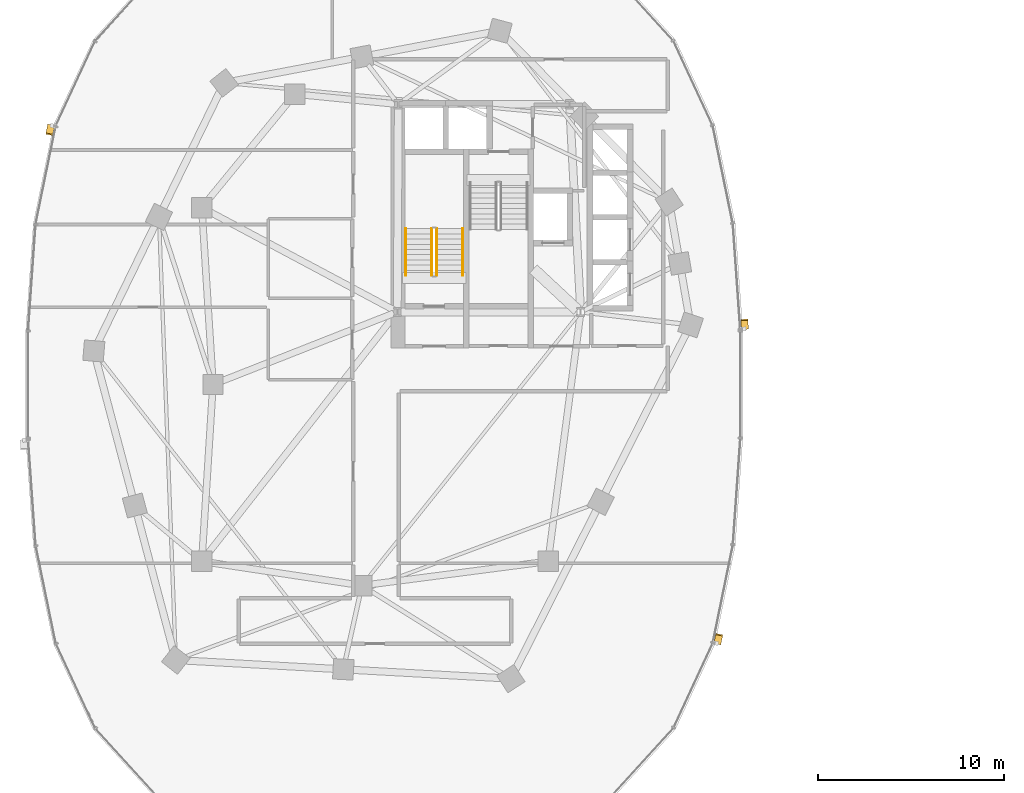
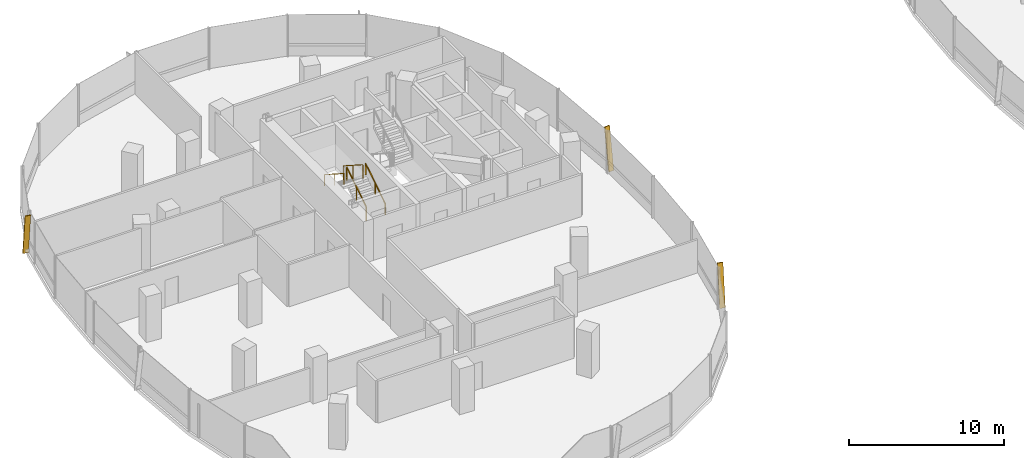
# One storey, part 18 of 21: 4 railings, 3 shading devices.
"""IFC4 building model written with IfcOpenShell, lengths in metres."""

from ifc_helpers import new_model, si_unit, direction, frame, origin, origin_2d, place, context, subcontext, project, spatial, rectangle, extrude, material, material_profile, profile_set, type_object, element, save


model = new_model("IFC4")

# Units and contexts
model_context = context("Model", 3, precision=1e-05, world=origin(), true_north=direction((0.0, 1.0)))
body_context = subcontext(model_context, "Body", "Model", "MODEL_VIEW")
ifc_project = project(units=[si_unit("LENGTHUNIT", "METRE"), si_unit("AREAUNIT", "SQUARE_METRE"), si_unit("VOLUMEUNIT", "CUBIC_METRE"), si_unit("PLANEANGLEUNIT", "RADIAN"), si_unit("MASSUNIT", "GRAM", prefix="KILO"), si_unit("THERMODYNAMICTEMPERATUREUNIT", "KELVIN"), si_unit("POWERUNIT", "WATT")], contexts=[model_context])

# Site, building, storey
site_placement = place(None, origin())
site = spatial("IfcSite", under=ifc_project, at=site_placement, CompositionType="ELEMENT")
building_placement = place(site_placement, origin())
building = spatial("IfcBuilding", under=site, at=building_placement, Name="Cundina Bronze Exchange", CompositionType="ELEMENT")
storey_placement = place(building_placement, frame((0.0, 0.0, 110.60009765625)))
storey = spatial("IfcBuildingStorey", under=building, at=storey_placement, Name="L28", CompositionType="ELEMENT", Elevation=110.60009765625)

# Railings
ifc_material_1 = material(Name="Steel ASTM A36 Painted", Category="steel")
railing_type_1 = type_object("IfcRailingType", Name="RLG-HND-900", PredefinedType="HANDRAIL", material=ifc_material_1)
railing_1_placement = place(storey_placement, frame((-27.7900390625, 5.85009765625, 0.179931640625)))
element("IfcRailing", 1, at=railing_1_placement, inside=storey, type_object=railing_type_1, Name="L28 ST-W1 stair handrail 1", PredefinedType="HANDRAIL", context=body_context, shape_type="SweptSolid", body=[
    extrude(rectangle(XDim=0.048095703125, YDim=0.048095703125, at=origin_2d()), frame((0.0, 0.0, 0.8759765625), z_axis=(0.0, 0.841199657755, 0.540724639528), x_axis=(-1.0, 0.0, 0.0)), (0.0, 0.0, 1.0), 2.995849609375),
    extrude(rectangle(XDim=0.0419921875, YDim=0.0419921875, at=origin_2d()), origin(), (0.0, 0.0, 1.0), 0.851806640625),
    extrude(rectangle(XDim=0.0419921875, YDim=0.0419921875, at=origin_2d()), frame((0.0, 1.260009765625, 0.81005859375)), (0.0, 0.0, 1.0), 0.851806640625),
    extrude(rectangle(XDim=0.0419921875, YDim=0.0419921875, at=origin_2d()), frame((0.0, 2.52001953125, 1.619873046875)), (0.0, 0.0, 1.0), 0.851806640625),
])
railing_2_placement = place(storey_placement, frame((-30.85009765625, 8.3701171875, 1.97998046875)))
element("IfcRailing", 2, at=railing_2_placement, inside=storey, type_object=railing_type_1, Name="L28 ST-W1 stair handrail 2", PredefinedType="HANDRAIL", context=body_context, shape_type="SweptSolid", body=[
    extrude(rectangle(XDim=0.048095703125, YDim=0.048095703125, at=origin_2d()), frame((0.0, 0.0, 0.8759765625), z_axis=(0.0, -0.841199657755, 0.540724639528), x_axis=(1.0, 0.0, 0.0)), (0.0, 0.0, 1.0), 2.995849609375),
    extrude(rectangle(XDim=0.0419921875, YDim=0.0419921875, at=origin_2d()), origin(), (0.0, 0.0, 1.0), 0.851806640625),
    extrude(rectangle(XDim=0.0419921875, YDim=0.0419921875, at=origin_2d()), frame((0.0, -1.260009765625, 0.81005859375)), (0.0, 0.0, 1.0), 0.851806640625),
    extrude(rectangle(XDim=0.0419921875, YDim=0.0419921875, at=origin_2d()), frame((0.0, -2.52001953125, 1.619873046875)), (0.0, 0.0, 1.0), 0.851806640625),
])
railing_type_2 = type_object("IfcRailingType", Name="RLG-STG-1100", PredefinedType="GUARDRAIL", material=ifc_material_1)
railing_3_placement = place(storey_placement, frame((-29.18994140625, 5.85009765625, 0.179931640625)))
element("IfcRailing", 3, at=railing_3_placement, inside=storey, type_object=railing_type_2, Name="L28 ST-W1 stair guard 1", PredefinedType="GUARDRAIL", context=body_context, shape_type="SweptSolid", body=[
    extrude(rectangle(XDim=0.048095703125, YDim=0.048095703125, at=origin_2d()), frame((0.0, 0.0, 1.076171875), z_axis=(0.0, 0.841199657755, 0.540724639528), x_axis=(-1.0, 0.0, 0.0)), (0.0, 0.0, 1.0), 2.995849609375),
    extrude(rectangle(XDim=0.0419921875, YDim=0.0419921875, at=origin_2d()), origin(), (0.0, 0.0, 1.0), 1.052001953125),
    extrude(rectangle(XDim=0.0419921875, YDim=0.0419921875, at=origin_2d()), frame((0.0, 1.260009765625, 0.81005859375)), (0.0, 0.0, 1.0), 1.052001953125),
    extrude(rectangle(XDim=0.0419921875, YDim=0.0419921875, at=origin_2d()), frame((0.0, 2.52001953125, 1.619873046875)), (0.0, 0.0, 1.0), 1.052001953125),
])
railing_4_placement = place(storey_placement, frame((-29.449951171875, 8.3701171875, 1.97998046875)))
element("IfcRailing", 4, at=railing_4_placement, inside=storey, type_object=railing_type_2, Name="L28 ST-W1 stair guard 3", PredefinedType="GUARDRAIL", context=body_context, shape_type="SweptSolid", body=[
    extrude(rectangle(XDim=0.048095703125, YDim=0.048095703125, at=origin_2d()), frame((0.0, 0.0, 1.076171875), z_axis=(0.0, -0.841199657755, 0.540724639528), x_axis=(1.0, 0.0, 0.0)), (0.0, 0.0, 1.0), 2.995849609375),
    extrude(rectangle(XDim=0.0419921875, YDim=0.0419921875, at=origin_2d()), origin(), (0.0, 0.0, 1.0), 1.052001953125),
    extrude(rectangle(XDim=0.0419921875, YDim=0.0419921875, at=origin_2d()), frame((0.0, -1.260009765625, 0.81005859375)), (0.0, 0.0, 1.0), 1.052001953125),
    extrude(rectangle(XDim=0.0419921875, YDim=0.0419921875, at=origin_2d()), frame((0.0, -2.52001953125, 1.619873046875)), (0.0, 0.0, 1.0), 1.052001953125),
])

# Shading devices
ifc_material_2 = material(Name="Anodised Bronze Aluminium 6063-T6", Category="aluminium")
ifc_material_profile = material_profile(ifc_material_2, rectangle(XDim=0.070068359375, YDim=0.3798828125, at=origin_2d()), Name="FIN70X380", Category="aluminium")
ifc_profile_set = profile_set([ifc_material_profile], Name="Anodised Bronze Aluminium 6063-T6")
shading_device_type = type_object("IfcShadingDeviceType", Name="SHD-FIN-BRZ380", PredefinedType="USERDEFINED", material=ifc_profile_set)
for number, where, z_axis, x_axis, name in (
    (5, (-12.6259765625, 2.993896484375, 0.02001953125), (-0.01022529535, 0.145302928853, 0.989334373304), (0.069449940286, -0.986893716667, 0.145662273078), "L28 Diagonal Bronze Solar Fin 1"),
    (6, (-49.89599609375, 13.911865234375, 0.02001953125), (-0.029416044726, -0.142708569627, 0.98932752942), (0.199727902789, 0.968957029654, 0.14570874899), "L28 Diagonal Bronze Solar Fin 5"),
    (7, (-14.10400390625, -13.911865234375, 0.02001953125), (0.029416044726, 0.142708569627, 0.98932752942), (-0.199727902789, -0.968957029654, 0.14570874899), "L28 Diagonal Bronze Solar Fin 5"),
):
    element("IfcShadingDevice", number, at=place(storey_placement, frame(where, z_axis=z_axis, x_axis=x_axis)), inside=storey, type_object=shading_device_type, Name=name, ObjectType="FIN", PredefinedType="USERDEFINED", context=body_context, shape_type="SweptSolid", body=[
        extrude(rectangle(XDim=0.070068359375, YDim=0.3798828125, at=origin_2d()), origin(), (0.0, 0.0, 1.0), 3.294921875),
    ])

save(model, "model.ifc")
